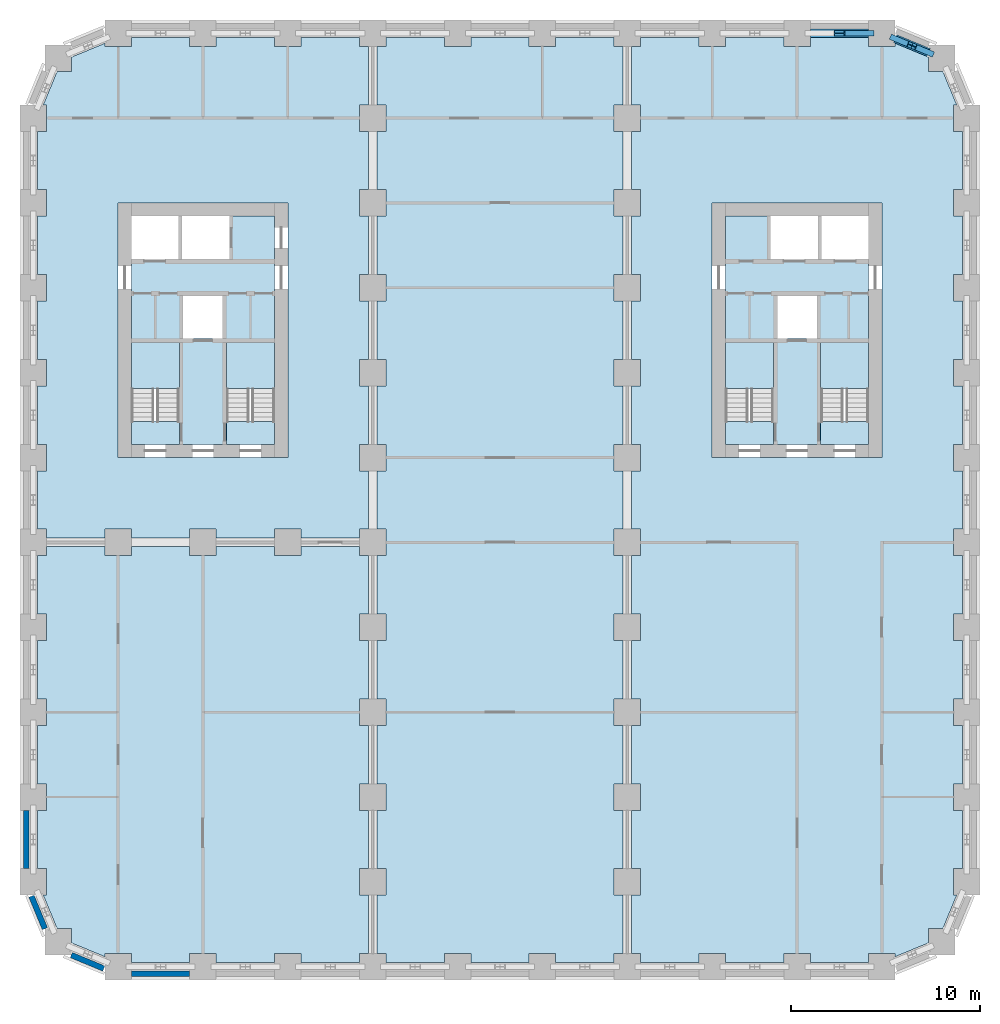
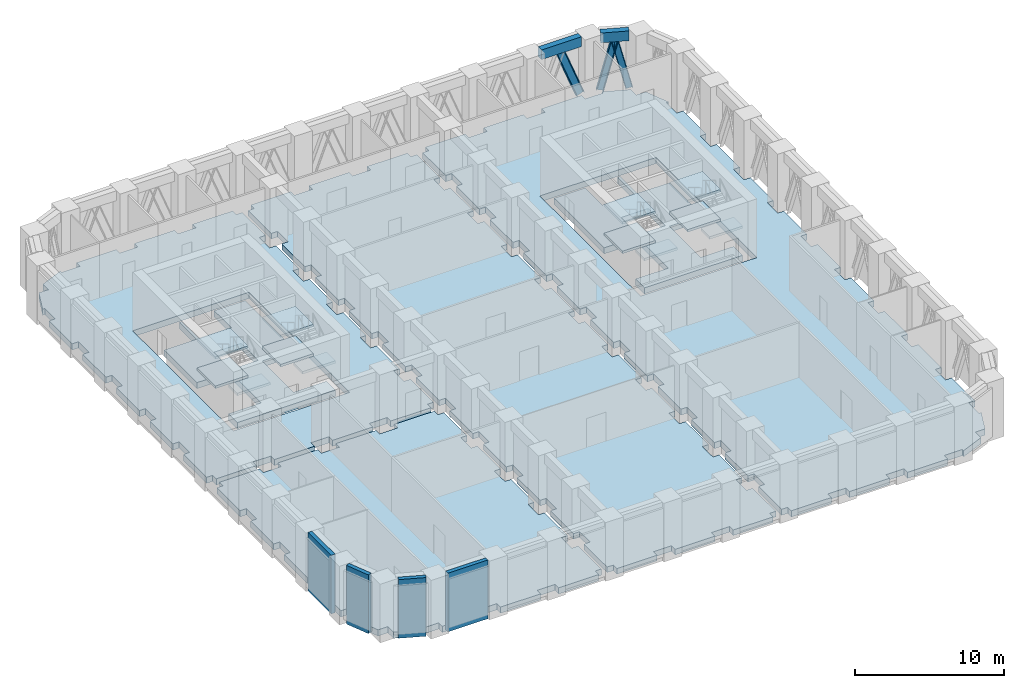
# One storey, part 2 of 9: 18 slabs, 4 walls, 3 members, 2 beams, 4 elements without a shape of their own.
"""IFC4 building model written with IfcOpenShell, lengths in metres."""

from ifc_helpers import new_model, si_unit, direction, frame, frame_2d, origin, origin_2d, place, context, subcontext, project, spatial, polyline, rectangle, i_section, outline, extrude, material, layer, layer_set, material_profile, profile_set, type_object, element, aggregate, save


model = new_model("IFC4")

# Units and contexts
model_context = context("Model", 3, precision=1e-05, world=origin(), true_north=direction((0.0, 1.0)))
body_context = subcontext(model_context, "Body", "Model", "MODEL_VIEW")
ifc_project = project(units=[si_unit("LENGTHUNIT", "METRE"), si_unit("AREAUNIT", "SQUARE_METRE"), si_unit("VOLUMEUNIT", "CUBIC_METRE"), si_unit("PLANEANGLEUNIT", "RADIAN"), si_unit("MASSUNIT", "GRAM", prefix="KILO")], contexts=[model_context])

# Site, building, storey
site_placement = place(None, origin())
site = spatial("IfcSite", under=ifc_project, at=site_placement, CompositionType="ELEMENT")
building_placement = place(site_placement, origin())
building = spatial("IfcBuilding", under=site, at=building_placement, Name="Girih Gate Residences", CompositionType="ELEMENT")
storey_placement = place(building_placement, frame((0.0, 0.0, 75.199951171875)))
storey = spatial("IfcBuildingStorey", under=building, at=storey_placement, Name="L20", CompositionType="ELEMENT", Elevation=75.199951171875)

# Members
ifc_material_1 = material(Name="Steel S460", Category="steel")
ifc_material_profile_1 = material_profile(ifc_material_1, i_section(OverallWidth=0.300048828125, OverallDepth=0.5, WebThickness=0.014404296875, FlangeThickness=0.028076171875, FilletRadius=0.027099609375, at=origin_2d()))
ifc_profile_set_1 = profile_set([ifc_material_profile_1], Name="Steel S460")
member_type_1 = type_object("IfcMemberType", Name="Belt truss diagonal HE 500 B Steel S460", PredefinedType="BRACE", material=ifc_profile_set_1)
for number, where, z_axis, x_axis, name in (
    (1, (47.509765625, 48.46044921875, 0.0), (-0.222890674542, 0.092342960832, 0.970459955272), (-0.382749308252, -0.923852243074, 0.0), "Belt truss BT2 L20 NE0482_0482.0-1"),
    (2, (45.67236328125, 49.221435546875, 0.0), (0.2228918933, -0.092284233261, 0.970465261713), (0.382539735633, 0.923939040555, 0.0), "Belt truss BT2 L20 NE0482_0482.0-2"),
):
    element("IfcMember", number, at=place(storey_placement, frame(where, z_axis=z_axis, x_axis=x_axis)), inside=storey, type_object=member_type_1, Name=name, PredefinedType="BRACE", context=body_context, shape_type="SweptSolid", body=[
        extrude(i_section(OverallWidth=0.300048828125, OverallDepth=0.5, WebThickness=0.014404296875, FlangeThickness=0.028076171875, FilletRadius=0.027099609375, at=origin_2d()), origin(), (0.0, 0.0, 1.0), 4.121826171875),
    ])
ifc_material_profile_2 = material_profile(ifc_material_1, i_section(OverallWidth=0.300048828125, OverallDepth=0.60009765625, WebThickness=0.015380859375, FlangeThickness=0.030029296875, FilletRadius=0.027099609375, at=origin_2d()))
ifc_profile_set_2 = profile_set([ifc_material_profile_2], Name="Steel S460")
member_type_2 = type_object("IfcMemberType", Name="Belt truss diagonal HE 600 B Steel S460", PredefinedType="BRACE", material=ifc_profile_set_2)
member_placement = place(storey_placement, frame((44.300048828125, 49.5, 0.0), z_axis=(-0.361330964042, 0.0, 0.932437630313), x_axis=(0.0, -1.0, 0.0)))
element("IfcMember", 3, at=member_placement, inside=storey, type_object=member_type_2, Name="Belt truss BT1 L20 N0450_0495.0-1", PredefinedType="BRACE", context=body_context, shape_type="SweptSolid", body=[
    extrude(i_section(OverallWidth=0.300048828125, OverallDepth=0.60009765625, WebThickness=0.015380859375, FlangeThickness=0.030029296875, FilletRadius=0.027099609375, at=origin_2d()), origin(), (0.0, 0.0, 1.0), 4.289794921875),
])

# Beams
ifc_material_2 = material(Name="Concrete C60/75", Category="concrete")
ifc_material_profile_3 = material_profile(ifc_material_2, rectangle(XDim=0.449951171875, YDim=0.800048828125, at=origin_2d()))
ifc_profile_set_3 = profile_set([ifc_material_profile_3], Name="Concrete C60/75")
beam_type = type_object("IfcBeamType", Name="Spandrel girder RC 450x800 Concrete C60/75", PredefinedType="BEAM", material=ifc_profile_set_3)
beam_1_placement = place(storey_placement, frame((47.48193359375, 48.471923828125, 4.400146484375), z_axis=(-0.923894961945, 0.382646180293, 0.0), x_axis=(-0.382646180293, -0.923894961945, 0.0)))
element("IfcBeam", 4, at=beam_1_placement, inside=storey, type_object=beam_type, Name="Spandrel girder SP-P12LSW-P11L L20", PredefinedType="BEAM", context=body_context, shape_type="SweptSolid", body=[
    extrude(rectangle(XDim=0.449951171875, YDim=0.800048828125, at=origin_2d()), origin(), (0.0, 0.0, 1.0), 1.9287109375),
])
beam_2_placement = place(storey_placement, frame((44.300048828125, 49.5, 4.400146484375), z_axis=(-1.0, 0.0, 0.0), x_axis=(0.0, -1.0, 0.0)))
element("IfcBeam", 5, at=beam_2_placement, inside=storey, type_object=beam_type, Name="Spandrel girder SP-P11L-P10L L20", PredefinedType="BEAM", context=body_context, shape_type="SweptSolid", body=[
    extrude(rectangle(XDim=0.449951171875, YDim=0.800048828125, at=origin_2d()), origin(), (0.0, 0.0, 1.0), 3.10009765625),
])

# Slabs
ifc_material_3 = material(Name="Concrete C40/50", Category="concrete")
ifc_layer_1 = layer(ifc_material_3, 0.5)
ifc_layer_set_1 = layer_set([ifc_layer_1], Name="Core floor slab 500")
slab_type_1 = type_object("IfcSlabType", Name="Core floor slab 500", PredefinedType="FLOOR", material=ifc_layer_set_1)
slab_1_placement = place(storey_placement, frame((0.0, 0.0, -0.5)))
element("IfcSlab", 6, at=slab_1_placement, inside=storey, type_object=slab_type_1, Name="L20 W core floor", PredefinedType="FLOOR", context=body_context, shape_type="SweptSolid", body=[
    extrude(outline(polyline([(12.800048828125, 27.699951171875), (5.199951171875, 27.699951171875), (5.199951171875, 28.900634765625), (7.75, 28.900634765625), (7.75, 33.10009765625), (5.199951171875, 33.10009765625), (5.199951171875, 37.5), (7.699951171875, 37.5), (7.699951171875, 39.800048828125), (7.89990234375, 39.800048828125), (7.89990234375, 37.5), (10.39990234375, 37.5), (10.39990234375, 39.800048828125), (12.800048828125, 39.800048828125), (12.800048828125, 33.10009765625), (10.25, 33.10009765625), (10.25, 28.900634765625), (12.800048828125, 28.900634765625), (12.800048828125, 27.699951171875)]), holes=[polyline([(7.949951171875, 33.300048828125), (10.050048828125, 33.300048828125), (10.050048828125, 35.60009765625), (7.949951171875, 35.60009765625), (7.949951171875, 33.300048828125)])]), origin(), (0.0, 0.0, 1.0), 0.5),
])
slab_2_placement = place(storey_placement, frame((0.0, 0.0, -0.5)))
element("IfcSlab", 7, at=slab_2_placement, inside=storey, type_object=slab_type_1, Name="L20 E core floor", PredefinedType="FLOOR", context=body_context, shape_type="SweptSolid", body=[
    extrude(outline(polyline([(44.300048828125, 27.699951171875), (36.699951171875, 27.699951171875), (36.699951171875, 28.900634765625), (39.25, 28.900634765625), (39.25, 33.10009765625), (36.699951171875, 33.10009765625), (36.699951171875, 39.800048828125), (39.10009765625, 39.800048828125), (39.10009765625, 37.5), (41.60009765625, 37.5), (41.60009765625, 39.800048828125), (41.800048828125, 39.800048828125), (41.800048828125, 37.5), (44.300048828125, 37.5), (44.300048828125, 33.10009765625), (41.75, 33.10009765625), (41.75, 28.900634765625), (44.300048828125, 28.900634765625), (44.300048828125, 27.699951171875)]), holes=[polyline([(39.449951171875, 33.300048828125), (41.550048828125, 33.300048828125), (41.550048828125, 35.60009765625), (39.449951171875, 35.60009765625), (39.449951171875, 33.300048828125)])]), origin(), (0.0, 0.0, 1.0), 0.5),
])
ifc_layer_2 = layer(ifc_material_3, 0.449951171875)
ifc_layer_set_2 = layer_set([ifc_layer_2], Name="Floor slab PT 450 Concrete C40/50")
slab_type_2 = type_object("IfcSlabType", Name="Floor slab PT 450 Concrete C40/50", PredefinedType="FLOOR", material=ifc_layer_set_2)
slab_3_placement = place(storey_placement, frame((0.0, 0.0, -0.449951171875)))
element("IfcSlab", 8, at=slab_3_placement, inside=storey, type_object=slab_type_2, Name="Floor slab L20 2", PredefinedType="FLOOR", context=body_context, shape_type="SweptSolid", body=[
    extrude(outline(polyline([(21.800048828125, 49.27490234375), (18.699951171875, 49.27490234375), (18.699951171875, 48.800048828125), (18.22509765625, 48.800048828125), (18.22509765625, 45.699951171875), (18.699951171875, 45.699951171875), (18.699951171875, 44.300048828125), (18.22509765625, 44.300048828125), (18.22509765625, 41.199951171875), (18.699951171875, 41.199951171875), (18.699951171875, 39.800048828125), (18.22509765625, 39.800048828125), (18.22509765625, 36.699951171875), (18.699951171875, 36.699951171875), (18.699951171875, 35.300048828125), (18.22509765625, 35.300048828125), (18.22509765625, 32.199951171875), (18.699951171875, 32.199951171875), (18.699951171875, 30.800048828125), (18.22509765625, 30.800048828125), (18.22509765625, 27.699951171875), (18.699951171875, 27.699951171875), (18.699951171875, 26.300048828125), (18.22509765625, 26.300048828125), (18.22509765625, 23.199951171875), (18.699951171875, 23.199951171875), (18.699951171875, 21.800048828125), (18.22509765625, 21.800048828125), (18.22509765625, 18.699951171875), (18.699951171875, 18.699951171875), (18.699951171875, 17.300048828125), (18.22509765625, 17.300048828125), (18.22509765625, 14.199951171875), (18.699951171875, 14.199951171875), (18.699951171875, 12.800048828125), (18.22509765625, 12.800048828125), (18.22509765625, 9.699951171875), (18.699951171875, 9.699951171875), (18.699951171875, 8.300048828125), (18.22509765625, 8.300048828125), (18.22509765625, 5.199951171875), (18.699951171875, 5.199951171875), (18.699951171875, 3.800048828125), (18.22509765625, 3.800048828125), (18.22509765625, 0.699951171875), (18.699951171875, 0.699951171875), (18.699951171875, 0.22509765625), (21.800048828125, 0.22509765625), (21.800048828125, 0.699951171875), (23.199951171875, 0.699951171875), (23.199951171875, 0.22509765625), (26.300048828125, 0.22509765625), (26.300048828125, 0.699951171875), (27.699951171875, 0.699951171875), (27.699951171875, 0.22509765625), (30.800048828125, 0.22509765625), (30.800048828125, 0.699951171875), (31.27490234375, 0.699951171875), (31.27490234375, 3.800048828125), (30.800048828125, 3.800048828125), (30.800048828125, 5.199951171875), (31.27490234375, 5.199951171875), (31.27490234375, 8.300048828125), (30.800048828125, 8.300048828125), (30.800048828125, 9.699951171875), (31.27490234375, 9.699951171875), (31.27490234375, 12.800048828125), (30.800048828125, 12.800048828125), (30.800048828125, 14.199951171875), (31.27490234375, 14.199951171875), (31.27490234375, 17.300048828125), (30.800048828125, 17.300048828125), (30.800048828125, 18.699951171875), (31.27490234375, 18.699951171875), (31.27490234375, 21.800048828125), (30.800048828125, 21.800048828125), (30.800048828125, 23.199951171875), (31.27490234375, 23.199951171875), (31.27490234375, 26.300048828125), (30.800048828125, 26.300048828125), (30.800048828125, 27.699951171875), (31.27490234375, 27.699951171875), (31.27490234375, 30.800048828125), (30.800048828125, 30.800048828125), (30.800048828125, 32.199951171875), (31.27490234375, 32.199951171875), (31.27490234375, 35.300048828125), (30.800048828125, 35.300048828125), (30.800048828125, 36.699951171875), (31.27490234375, 36.699951171875), (31.27490234375, 39.800048828125), (30.800048828125, 39.800048828125), (30.800048828125, 41.199951171875), (31.27490234375, 41.199951171875), (31.27490234375, 44.300048828125), (30.800048828125, 44.300048828125), (30.800048828125, 45.699951171875), (31.27490234375, 45.699951171875), (31.27490234375, 48.800048828125), (30.800048828125, 48.800048828125), (30.800048828125, 49.27490234375), (27.699951171875, 49.27490234375), (27.699951171875, 48.800048828125), (26.300048828125, 48.800048828125), (26.300048828125, 49.27490234375), (23.199951171875, 49.27490234375), (23.199951171875, 48.800048828125), (21.800048828125, 48.800048828125), (21.800048828125, 49.27490234375)])), origin(), (0.0, 0.0, 1.0), 0.449951171875),
])
ifc_layer_3 = layer(ifc_material_3, 0.5)
ifc_layer_set_3 = layer_set([ifc_layer_3], Name="Floor slab PT 500 Concrete C40/50")
slab_type_3 = type_object("IfcSlabType", Name="Floor slab PT 500 Concrete C40/50", PredefinedType="FLOOR", material=ifc_layer_set_3)
slab_4_placement = place(storey_placement, frame((0.0, 0.0, -0.5)))
element("IfcSlab", 9, at=slab_4_placement, inside=storey, type_object=slab_type_3, Name="Floor slab L20 0", PredefinedType="FLOOR", context=body_context, shape_type="SweptSolid", body=[
    extrude(outline(polyline([(0.22509765625, 8.300048828125), (0.22509765625, 5.199951171875), (0.699951171875, 5.199951171875), (0.699951171875, 3.800048828125), (0.533447265625, 3.800048828125), (1.271728515625, 2.01806640625), (2.01806640625, 2.01806640625), (2.01806640625, 1.271728515625), (3.800048828125, 0.533447265625), (3.800048828125, 0.699951171875), (5.199951171875, 0.699951171875), (5.199951171875, 0.22509765625), (8.300048828125, 0.22509765625), (8.300048828125, 0.699951171875), (9.699951171875, 0.699951171875), (9.699951171875, 0.22509765625), (12.800048828125, 0.22509765625), (12.800048828125, 0.699951171875), (14.199951171875, 0.699951171875), (14.199951171875, 0.22509765625), (17.300048828125, 0.22509765625), (17.300048828125, 0.699951171875), (17.77490234375, 0.699951171875), (17.77490234375, 3.800048828125), (17.300048828125, 3.800048828125), (17.300048828125, 5.199951171875), (17.77490234375, 5.199951171875), (17.77490234375, 8.300048828125), (17.300048828125, 8.300048828125), (17.300048828125, 9.699951171875), (17.77490234375, 9.699951171875), (17.77490234375, 12.800048828125), (17.300048828125, 12.800048828125), (17.300048828125, 14.199951171875), (17.77490234375, 14.199951171875), (17.77490234375, 17.300048828125), (17.300048828125, 17.300048828125), (17.300048828125, 18.699951171875), (17.77490234375, 18.699951171875), (17.77490234375, 21.800048828125), (17.300048828125, 21.800048828125), (17.300048828125, 22.27490234375), (14.199951171875, 22.27490234375), (14.199951171875, 21.800048828125), (12.800048828125, 21.800048828125), (12.800048828125, 22.27490234375), (9.699951171875, 22.27490234375), (9.699951171875, 21.800048828125), (8.300048828125, 21.800048828125), (8.300048828125, 22.27490234375), (5.199951171875, 22.27490234375), (5.199951171875, 21.800048828125), (3.800048828125, 21.800048828125), (3.800048828125, 22.27490234375), (0.699951171875, 22.27490234375), (0.699951171875, 21.800048828125), (0.22509765625, 21.800048828125), (0.22509765625, 18.699951171875), (0.699951171875, 18.699951171875), (0.699951171875, 17.300048828125), (0.22509765625, 17.300048828125), (0.22509765625, 14.199951171875), (0.699951171875, 14.199951171875), (0.699951171875, 12.800048828125), (0.22509765625, 12.800048828125), (0.22509765625, 9.699951171875), (0.699951171875, 9.699951171875), (0.699951171875, 8.300048828125), (0.22509765625, 8.300048828125)])), origin(), (0.0, 0.0, 1.0), 0.5),
])
slab_5_placement = place(storey_placement, frame((0.0, 0.0, -0.5)))
element("IfcSlab", 10, at=slab_5_placement, inside=storey, type_object=slab_type_3, Name="Floor slab L20 1", PredefinedType="FLOOR", context=body_context, shape_type="SweptSolid", body=[
    extrude(outline(polyline([(35.300048828125, 49.27490234375), (32.199951171875, 49.27490234375), (32.199951171875, 48.800048828125), (31.72509765625, 48.800048828125), (31.72509765625, 45.699951171875), (32.199951171875, 45.699951171875), (32.199951171875, 44.300048828125), (31.72509765625, 44.300048828125), (31.72509765625, 41.199951171875), (32.199951171875, 41.199951171875), (32.199951171875, 39.800048828125), (31.72509765625, 39.800048828125), (31.72509765625, 36.699951171875), (32.199951171875, 36.699951171875), (32.199951171875, 35.300048828125), (31.72509765625, 35.300048828125), (31.72509765625, 32.199951171875), (32.199951171875, 32.199951171875), (32.199951171875, 30.800048828125), (31.72509765625, 30.800048828125), (31.72509765625, 27.699951171875), (32.199951171875, 27.699951171875), (32.199951171875, 26.300048828125), (31.72509765625, 26.300048828125), (31.72509765625, 23.199951171875), (32.199951171875, 23.199951171875), (32.199951171875, 21.800048828125), (31.72509765625, 21.800048828125), (31.72509765625, 18.699951171875), (32.199951171875, 18.699951171875), (32.199951171875, 17.300048828125), (31.72509765625, 17.300048828125), (31.72509765625, 14.199951171875), (32.199951171875, 14.199951171875), (32.199951171875, 12.800048828125), (31.72509765625, 12.800048828125), (31.72509765625, 9.699951171875), (32.199951171875, 9.699951171875), (32.199951171875, 8.300048828125), (31.72509765625, 8.300048828125), (31.72509765625, 5.199951171875), (32.199951171875, 5.199951171875), (32.199951171875, 3.800048828125), (31.72509765625, 3.800048828125), (31.72509765625, 0.699951171875), (32.199951171875, 0.699951171875), (32.199951171875, 0.22509765625), (35.300048828125, 0.22509765625), (35.300048828125, 0.699951171875), (36.699951171875, 0.699951171875), (36.699951171875, 0.22509765625), (39.800048828125, 0.22509765625), (39.800048828125, 0.699951171875), (41.199951171875, 0.699951171875), (41.199951171875, 0.22509765625), (44.300048828125, 0.22509765625), (44.300048828125, 0.699951171875), (45.699951171875, 0.699951171875), (45.699951171875, 0.533447265625), (47.48193359375, 1.271728515625), (47.48193359375, 2.01806640625), (48.228271484375, 2.01806640625), (48.966552734375, 3.800048828125), (48.800048828125, 3.800048828125), (48.800048828125, 5.199951171875), (49.27490234375, 5.199951171875), (49.27490234375, 8.300048828125), (48.800048828125, 8.300048828125), (48.800048828125, 9.699951171875), (49.27490234375, 9.699951171875), (49.27490234375, 12.800048828125), (48.800048828125, 12.800048828125), (48.800048828125, 14.199951171875), (49.27490234375, 14.199951171875), (49.27490234375, 17.300048828125), (48.800048828125, 17.300048828125), (48.800048828125, 18.699951171875), (49.27490234375, 18.699951171875), (49.27490234375, 21.800048828125), (48.800048828125, 21.800048828125), (48.800048828125, 23.199951171875), (49.27490234375, 23.199951171875), (49.27490234375, 26.300048828125), (48.800048828125, 26.300048828125), (48.800048828125, 27.699951171875), (49.27490234375, 27.699951171875), (49.27490234375, 30.800048828125), (48.800048828125, 30.800048828125), (48.800048828125, 32.199951171875), (49.27490234375, 32.199951171875), (49.27490234375, 35.300048828125), (48.800048828125, 35.300048828125), (48.800048828125, 36.699951171875), (49.27490234375, 36.699951171875), (49.27490234375, 39.800048828125), (48.800048828125, 39.800048828125), (48.800048828125, 41.199951171875), (49.27490234375, 41.199951171875), (49.27490234375, 44.300048828125), (48.800048828125, 44.300048828125), (48.800048828125, 45.699951171875), (48.966552734375, 45.699951171875), (48.228271484375, 47.48193359375), (47.48193359375, 47.48193359375), (47.48193359375, 48.228271484375), (45.699951171875, 48.966552734375), (45.699951171875, 48.800048828125), (44.300048828125, 48.800048828125), (44.300048828125, 49.27490234375), (41.199951171875, 49.27490234375), (41.199951171875, 48.800048828125), (39.800048828125, 48.800048828125), (39.800048828125, 49.27490234375), (36.699951171875, 49.27490234375), (36.699951171875, 48.800048828125), (35.300048828125, 48.800048828125), (35.300048828125, 49.27490234375)]), holes=[polyline([(45.0, 40.5), (45.0, 27.0), (36.0, 27.0), (36.0, 40.5), (45.0, 40.5)])]), origin(), (0.0, 0.0, 1.0), 0.5),
])
slab_6_placement = place(storey_placement, frame((0.0, 0.0, -0.5)))
element("IfcSlab", 11, at=slab_6_placement, inside=storey, type_object=slab_type_3, Name="Floor slab L20 3", PredefinedType="FLOOR", context=body_context, shape_type="SweptSolid", body=[
    extrude(outline(polyline([(0.22509765625, 26.300048828125), (0.22509765625, 23.199951171875), (0.699951171875, 23.199951171875), (0.699951171875, 22.72509765625), (3.800048828125, 22.72509765625), (3.800048828125, 23.199951171875), (5.199951171875, 23.199951171875), (5.199951171875, 22.72509765625), (8.300048828125, 22.72509765625), (8.300048828125, 23.199951171875), (9.699951171875, 23.199951171875), (9.699951171875, 22.72509765625), (12.800048828125, 22.72509765625), (12.800048828125, 23.199951171875), (14.199951171875, 23.199951171875), (14.199951171875, 22.72509765625), (17.300048828125, 22.72509765625), (17.300048828125, 23.199951171875), (17.77490234375, 23.199951171875), (17.77490234375, 26.300048828125), (17.300048828125, 26.300048828125), (17.300048828125, 27.699951171875), (17.77490234375, 27.699951171875), (17.77490234375, 30.800048828125), (17.300048828125, 30.800048828125), (17.300048828125, 32.199951171875), (17.77490234375, 32.199951171875), (17.77490234375, 35.300048828125), (17.300048828125, 35.300048828125), (17.300048828125, 36.699951171875), (17.77490234375, 36.699951171875), (17.77490234375, 39.800048828125), (17.300048828125, 39.800048828125), (17.300048828125, 41.199951171875), (17.77490234375, 41.199951171875), (17.77490234375, 44.300048828125), (17.300048828125, 44.300048828125), (17.300048828125, 45.699951171875), (17.77490234375, 45.699951171875), (17.77490234375, 48.800048828125), (17.300048828125, 48.800048828125), (17.300048828125, 49.27490234375), (14.199951171875, 49.27490234375), (14.199951171875, 48.800048828125), (12.800048828125, 48.800048828125), (12.800048828125, 49.27490234375), (9.699951171875, 49.27490234375), (9.699951171875, 48.800048828125), (8.300048828125, 48.800048828125), (8.300048828125, 49.27490234375), (5.199951171875, 49.27490234375), (5.199951171875, 48.800048828125), (3.800048828125, 48.800048828125), (3.800048828125, 48.966552734375), (2.01806640625, 48.228271484375), (2.01806640625, 47.48193359375), (1.271728515625, 47.48193359375), (0.533447265625, 45.699951171875), (0.699951171875, 45.699951171875), (0.699951171875, 44.300048828125), (0.22509765625, 44.300048828125), (0.22509765625, 41.199951171875), (0.699951171875, 41.199951171875), (0.699951171875, 39.800048828125), (0.22509765625, 39.800048828125), (0.22509765625, 36.699951171875), (0.699951171875, 36.699951171875), (0.699951171875, 35.300048828125), (0.22509765625, 35.300048828125), (0.22509765625, 32.199951171875), (0.699951171875, 32.199951171875), (0.699951171875, 30.800048828125), (0.22509765625, 30.800048828125), (0.22509765625, 27.699951171875), (0.699951171875, 27.699951171875), (0.699951171875, 26.300048828125), (0.22509765625, 26.300048828125)]), holes=[polyline([(13.5, 40.5), (13.5, 27.0), (4.5, 27.0), (4.5, 40.5), (13.5, 40.5)])]), origin(), (0.0, 0.0, 1.0), 0.5),
])

# Stair, slabs
stair_type = type_object("IfcStairType", Name="Exit stair", PredefinedType="HALF_TURN_STAIR", material=ifc_material_3)
stair_1_placement = place(storey_placement, origin())
stair_1 = element("IfcStair", 12, at=stair_1_placement, inside=storey, type_object=stair_type, Name="L20 Exit Stair ST-W1", PredefinedType="HALF_TURN_STAIR")
ifc_layer_4 = layer(ifc_material_3, 0.199951171875)
ifc_layer_set_4 = layer_set([ifc_layer_4], Name="Stair landing 200")
slab_type_4 = type_object("IfcSlabType", Name="Stair landing 200", PredefinedType="LANDING", material=ifc_layer_set_4)
slab_7_placement = place(storey_placement, frame((0.0, 0.0, 1.0)))
slab_7 = element("IfcSlab", 13, at=slab_7_placement, type_object=slab_type_4, Name="ST-W1 landing 1", PredefinedType="LANDING", context=body_context, shape_type="SweptSolid", body=[
    extrude(outline(polyline([(7.75, 30.64990234375), (7.75, 33.10009765625), (5.199951171875, 33.10009765625), (5.199951171875, 30.64990234375), (7.75, 30.64990234375)])), origin(), (0.0, 0.0, 1.0), 0.199951171875),
])
slab_8_placement = place(storey_placement, frame((0.0, 0.0, 2.199951171875)))
slab_8 = element("IfcSlab", 14, at=slab_8_placement, type_object=slab_type_4, Name="ST-W1 landing 2", PredefinedType="LANDING", context=body_context, shape_type="SweptSolid", body=[
    extrude(outline(polyline([(7.75, 27.699951171875), (7.75, 28.89990234375), (5.199951171875, 28.89990234375), (5.199951171875, 27.699951171875), (7.75, 27.699951171875)])), origin(), (0.0, 0.0, 1.0), 0.2001953125),
])
slab_9_placement = place(storey_placement, frame((0.0, 0.0, 3.400146484375)))
slab_9 = element("IfcSlab", 15, at=slab_9_placement, type_object=slab_type_4, Name="ST-W1 landing 3", PredefinedType="LANDING", context=body_context, shape_type="SweptSolid", body=[
    extrude(outline(polyline([(7.75, 30.64990234375), (7.75, 33.10009765625), (5.199951171875, 33.10009765625), (5.199951171875, 30.64990234375), (7.75, 30.64990234375)])), origin(), (0.0, 0.0, 1.0), 0.199951171875),
])
aggregate(stair_1, [slab_7, slab_8, slab_9])

stair_2_placement = place(storey_placement, origin())
stair_2 = element("IfcStair", 16, at=stair_2_placement, inside=storey, type_object=stair_type, Name="L20 Exit Stair ST-W2", PredefinedType="HALF_TURN_STAIR")
slab_10_placement = place(storey_placement, frame((0.0, 0.0, 1.0)))
slab_10 = element("IfcSlab", 17, at=slab_10_placement, type_object=slab_type_4, Name="ST-W2 landing 1", PredefinedType="LANDING", context=body_context, shape_type="SweptSolid", body=[
    extrude(outline(polyline([(12.800048828125, 30.64990234375), (12.800048828125, 33.10009765625), (10.25, 33.10009765625), (10.25, 30.64990234375), (12.800048828125, 30.64990234375)])), origin(), (0.0, 0.0, 1.0), 0.199951171875),
])
slab_11_placement = place(storey_placement, frame((0.0, 0.0, 2.199951171875)))
slab_11 = element("IfcSlab", 18, at=slab_11_placement, type_object=slab_type_4, Name="ST-W2 landing 2", PredefinedType="LANDING", context=body_context, shape_type="SweptSolid", body=[
    extrude(outline(polyline([(12.800048828125, 27.699951171875), (12.800048828125, 28.89990234375), (10.25, 28.89990234375), (10.25, 27.699951171875), (12.800048828125, 27.699951171875)])), origin(), (0.0, 0.0, 1.0), 0.2001953125),
])
slab_12_placement = place(storey_placement, frame((0.0, 0.0, 3.400146484375)))
slab_12 = element("IfcSlab", 19, at=slab_12_placement, type_object=slab_type_4, Name="ST-W2 landing 3", PredefinedType="LANDING", context=body_context, shape_type="SweptSolid", body=[
    extrude(outline(polyline([(12.800048828125, 30.64990234375), (12.800048828125, 33.10009765625), (10.25, 33.10009765625), (10.25, 30.64990234375), (12.800048828125, 30.64990234375)])), origin(), (0.0, 0.0, 1.0), 0.199951171875),
])
aggregate(stair_2, [slab_10, slab_11, slab_12])

stair_3_placement = place(storey_placement, origin())
stair_3 = element("IfcStair", 20, at=stair_3_placement, inside=storey, type_object=stair_type, Name="L20 Exit Stair ST-E1", PredefinedType="HALF_TURN_STAIR")
slab_13_placement = place(storey_placement, frame((0.0, 0.0, 1.0)))
slab_13 = element("IfcSlab", 21, at=slab_13_placement, type_object=slab_type_4, Name="ST-E1 landing 1", PredefinedType="LANDING", context=body_context, shape_type="SweptSolid", body=[
    extrude(outline(polyline([(44.300048828125, 30.64990234375), (44.300048828125, 33.10009765625), (41.75, 33.10009765625), (41.75, 30.64990234375), (44.300048828125, 30.64990234375)])), origin(), (0.0, 0.0, 1.0), 0.199951171875),
])
slab_14_placement = place(storey_placement, frame((0.0, 0.0, 2.199951171875)))
slab_14 = element("IfcSlab", 22, at=slab_14_placement, type_object=slab_type_4, Name="ST-E1 landing 2", PredefinedType="LANDING", context=body_context, shape_type="SweptSolid", body=[
    extrude(outline(polyline([(44.300048828125, 27.699951171875), (44.300048828125, 28.89990234375), (41.75, 28.89990234375), (41.75, 27.699951171875), (44.300048828125, 27.699951171875)])), origin(), (0.0, 0.0, 1.0), 0.2001953125),
])
slab_15_placement = place(storey_placement, frame((0.0, 0.0, 3.400146484375)))
slab_15 = element("IfcSlab", 23, at=slab_15_placement, type_object=slab_type_4, Name="ST-E1 landing 3", PredefinedType="LANDING", context=body_context, shape_type="SweptSolid", body=[
    extrude(outline(polyline([(44.300048828125, 30.64990234375), (44.300048828125, 33.10009765625), (41.75, 33.10009765625), (41.75, 30.64990234375), (44.300048828125, 30.64990234375)])), origin(), (0.0, 0.0, 1.0), 0.199951171875),
])
aggregate(stair_3, [slab_13, slab_14, slab_15])

stair_4_placement = place(storey_placement, origin())
stair_4 = element("IfcStair", 24, at=stair_4_placement, inside=storey, type_object=stair_type, Name="L20 Exit Stair ST-E2", PredefinedType="HALF_TURN_STAIR")
slab_16_placement = place(storey_placement, frame((0.0, 0.0, 1.0)))
slab_16 = element("IfcSlab", 25, at=slab_16_placement, type_object=slab_type_4, Name="ST-E2 landing 1", PredefinedType="LANDING", context=body_context, shape_type="SweptSolid", body=[
    extrude(outline(polyline([(39.25, 30.64990234375), (39.25, 33.10009765625), (36.699951171875, 33.10009765625), (36.699951171875, 30.64990234375), (39.25, 30.64990234375)])), origin(), (0.0, 0.0, 1.0), 0.199951171875),
])
slab_17_placement = place(storey_placement, frame((0.0, 0.0, 2.199951171875)))
slab_17 = element("IfcSlab", 26, at=slab_17_placement, type_object=slab_type_4, Name="ST-E2 landing 2", PredefinedType="LANDING", context=body_context, shape_type="SweptSolid", body=[
    extrude(outline(polyline([(39.25, 27.699951171875), (39.25, 28.89990234375), (36.699951171875, 28.89990234375), (36.699951171875, 27.699951171875), (39.25, 27.699951171875)])), origin(), (0.0, 0.0, 1.0), 0.2001953125),
])
slab_18_placement = place(storey_placement, frame((0.0, 0.0, 3.400146484375)))
slab_18 = element("IfcSlab", 27, at=slab_18_placement, type_object=slab_type_4, Name="ST-E2 landing 3", PredefinedType="LANDING", context=body_context, shape_type="SweptSolid", body=[
    extrude(outline(polyline([(39.25, 30.64990234375), (39.25, 33.10009765625), (36.699951171875, 33.10009765625), (36.699951171875, 30.64990234375), (39.25, 30.64990234375)])), origin(), (0.0, 0.0, 1.0), 0.199951171875),
])
aggregate(stair_4, [slab_16, slab_17, slab_18])

# Walls
ifc_material_4 = material(Name="Precast concrete C50/60", Category="concrete")
ifc_layer_5 = layer(ifc_material_4, 0.080078125, Name="Outer leaf")
ifc_material_5 = material(Name="Rigid PIR insulation")
ifc_layer_6 = layer(ifc_material_5, 0.14990234375, Name="Insulation")
ifc_material_6 = material(Name="Precast concrete C40/50", Category="concrete")
ifc_layer_7 = layer(ifc_material_6, 0.070068359375, Name="Inner leaf")
ifc_layer_set_5 = layer_set([ifc_layer_5, ifc_layer_6, ifc_layer_7], Name="Precast concrete C50/60 external wall 300")
wall_type = type_object("IfcWallType", Name="Precast concrete C50/60 external wall 300", PredefinedType="SOLIDWALL", material=ifc_layer_set_5)
wall_1_placement = place(storey_placement, frame((0.62158203125, 2.01953125, 0.0), z_axis=(0.0, 0.0, 1.0), x_axis=(-0.38262540684, 0.923903565336, 0.0)))
element("IfcWall", 28, at=wall_1_placement, inside=storey, type_object=wall_type, Name="External wall SW0000_0045.0", PredefinedType="SOLIDWALL", context=body_context, shape_type="SweptSolid", body=[
    extrude(rectangle(XDim=1.864990234375, YDim=0.300048828125, at=frame_2d((0.9326171875, 0.0))), origin(), (0.0, 0.0, 1.0), 4.800048828125),
])
wall_2_placement = place(storey_placement, frame((3.74267578125, -0.09228515625, 0.0), z_axis=(0.0, 0.0, 1.0), x_axis=(-0.923857286003, 0.382737135771, 0.0)))
element("IfcWall", 29, at=wall_2_placement, inside=storey, type_object=wall_type, Name="External wall SW0013_0013.0", PredefinedType="SOLIDWALL", context=body_context, shape_type="SweptSolid", body=[
    extrude(rectangle(XDim=1.865234375, YDim=0.300048828125, at=frame_2d((0.9326171875, 0.0))), origin(), (0.0, 0.0, 1.0), 4.800048828125),
])
for number, where, z_axis, x_axis, name in (
    (30, (8.300048828125, -0.375, 0.0), (0.0, 0.0, 1.0), (-1.0, 0.0, 0.0), "External wall S0045_0000.0"),
    (31, (-0.375, 5.199951171875, 0.0), (0.0, 0.0, 1.0), (0.0, 1.0, 0.0), "External wall W0000_0450.8"),
):
    element("IfcWall", number, at=place(storey_placement, frame(where, z_axis=z_axis, x_axis=x_axis)), inside=storey, type_object=wall_type, Name=name, PredefinedType="SOLIDWALL", context=body_context, shape_type="SweptSolid", body=[
        extrude(rectangle(XDim=3.10009765625, YDim=0.300048828125, at=frame_2d((1.550048828125, 0.0))), origin(), (0.0, 0.0, 1.0), 4.800048828125),
    ])

save(model, "model.ifc")
